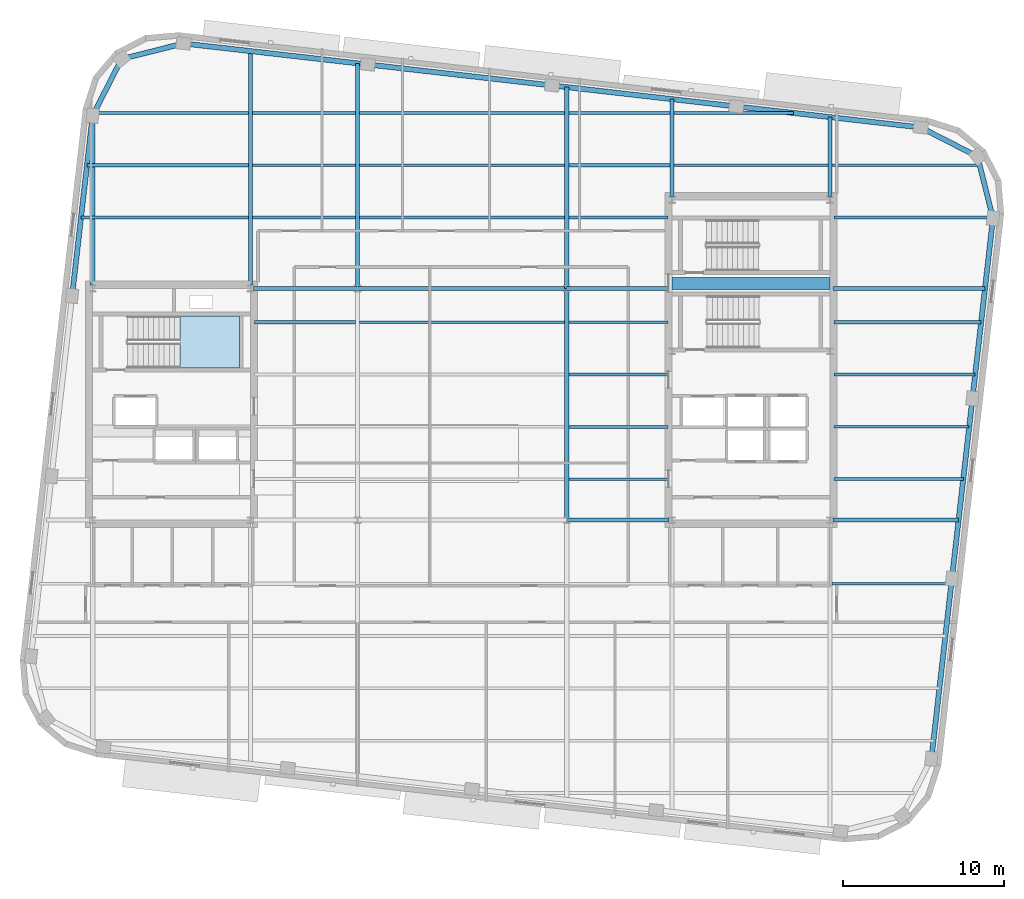
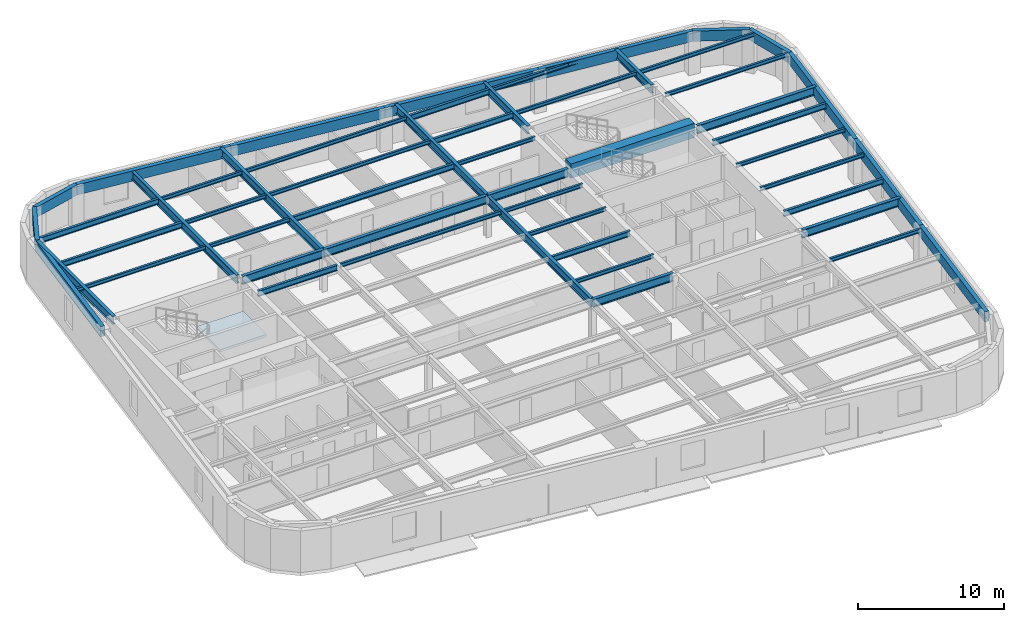
# One storey, part 4 of 13: 53 beams, 1 slab, 1 element without a shape of its own.
"""IFC4 building model written with IfcOpenShell, lengths in metres."""

from ifc_helpers import new_model, si_unit, direction, frame, origin, origin_2d, place, context, subcontext, project, spatial, polyline, rectangle, hollow_rectangle, i_section, outline, extrude, material, layer, layer_set, material_profile, profile_set, type_object, element, aggregate, save


model = new_model("IFC4")

# Units and contexts
model_context = context("Model", 3, precision=1e-05, world=origin(), true_north=direction((0.0, 1.0)))
body_context = subcontext(model_context, "Body", "Model", "MODEL_VIEW")
ifc_project = project(units=[si_unit("LENGTHUNIT", "METRE"), si_unit("AREAUNIT", "SQUARE_METRE"), si_unit("VOLUMEUNIT", "CUBIC_METRE"), si_unit("PLANEANGLEUNIT", "RADIAN"), si_unit("MASSUNIT", "GRAM", prefix="KILO")], contexts=[model_context])

# Site, building, storey
site_placement = place(None, origin())
site = spatial("IfcSite", under=ifc_project, at=site_placement, CompositionType="ELEMENT")
building_placement = place(site_placement, origin())
building = spatial("IfcBuilding", under=site, at=building_placement, Name="Kolvaren Arena Tower", CompositionType="ELEMENT")
storey_placement = place(building_placement, frame((0.0, 0.0, 250.949951171875)))
storey = spatial("IfcBuildingStorey", under=building, at=storey_placement, Name="L61", CompositionType="ELEMENT", Elevation=250.949951171875)

# Beams
ifc_material_1 = material(Name="Steel CSA G40.21 350W", Category="steel")
ifc_material_profile_1 = material_profile(ifc_material_1, i_section(OverallWidth=0.193115234375, OverallDepth=0.462890625, WebThickness=0.0107421875, FlangeThickness=0.0205078125, FilletRadius=0.012939453125, at=origin_2d()), Name="W460x113")
ifc_profile_set_1 = profile_set([ifc_material_profile_1], Name="Steel CSA G40.21 350W")
beam_type_1 = type_object("IfcBeamType", Name="BEAM-F2", PredefinedType="BEAM", material=ifc_profile_set_1)
beam_1_placement = place(storey_placement, frame((60.594970703125, 22.0, 3.24853515625), z_axis=(1.0, 0.0, 0.0), x_axis=(0.0, 1.0, 0.0)))
element("IfcBeam", 1, at=beam_1_placement, inside=storey, type_object=beam_type_1, Name="Composite Floor Beam (L61)", PredefinedType="BEAM", context=body_context, shape_type="SweptSolid", body=[
    extrude(i_section(OverallWidth=0.193115234375, OverallDepth=0.462890625, WebThickness=0.0107421875, FlangeThickness=0.0205078125, FilletRadius=0.012939453125, at=origin_2d()), origin(), (0.0, 0.0, 1.0), 8.041015625),
])
beam_2_placement = place(storey_placement, frame((44.12744140625, 25.25, 3.24853515625), z_axis=(1.0, 0.0, 0.0), x_axis=(0.0, 1.0, 0.0)))
element("IfcBeam", 2, at=beam_2_placement, inside=storey, type_object=beam_type_1, Name="Composite Floor Beam (L61)", PredefinedType="BEAM", context=body_context, shape_type="SweptSolid", body=[
    extrude(i_section(OverallWidth=0.193115234375, OverallDepth=0.462890625, WebThickness=0.0107421875, FlangeThickness=0.0205078125, FilletRadius=0.012939453125, at=origin_2d()), origin(), (0.0, 0.0, 1.0), 6.177490234375),
])
beam_3_placement = place(storey_placement, frame((24.594970703125, 31.75, 3.24853515625), z_axis=(1.0, 0.0, 0.0), x_axis=(0.0, 1.0, 0.0)))
element("IfcBeam", 3, at=beam_3_placement, inside=storey, type_object=beam_type_1, Name="Composite Floor Beam (L61)", PredefinedType="BEAM", context=body_context, shape_type="SweptSolid", body=[
    extrude(i_section(OverallWidth=0.193115234375, OverallDepth=0.462890625, WebThickness=0.0107421875, FlangeThickness=0.0205078125, FilletRadius=0.012939453125, at=origin_2d()), origin(), (0.0, 0.0, 1.0), 6.277587890625),
])
beam_4_placement = place(storey_placement, frame((60.594970703125, 31.75, 3.24853515625), z_axis=(1.0, 0.0, 0.0), x_axis=(0.0, 1.0, 0.0)))
element("IfcBeam", 4, at=beam_4_placement, inside=storey, type_object=beam_type_1, Name="Composite Floor Beam (L61)", PredefinedType="BEAM", context=body_context, shape_type="SweptSolid", body=[
    extrude(i_section(OverallWidth=0.193115234375, OverallDepth=0.462890625, WebThickness=0.0107421875, FlangeThickness=0.0205078125, FilletRadius=0.012939453125, at=origin_2d()), origin(), (0.0, 0.0, 1.0), 9.15185546875),
])
beam_5_placement = place(storey_placement, frame((31.12744140625, 38.25, 3.24853515625), z_axis=(1.0, 0.0, 0.0), x_axis=(0.0, 1.0, 0.0)))
element("IfcBeam", 5, at=beam_5_placement, inside=storey, type_object=beam_type_1, Name="Composite Floor Beam (L61)", PredefinedType="BEAM", context=body_context, shape_type="SweptSolid", body=[
    extrude(i_section(OverallWidth=0.193115234375, OverallDepth=0.462890625, WebThickness=0.0107421875, FlangeThickness=0.0205078125, FilletRadius=0.012939453125, at=origin_2d()), origin(), (0.0, 0.0, 1.0), 12.7451171875),
])
beam_6_placement = place(storey_placement, frame((14.193359375, 41.5, 3.24853515625), z_axis=(1.0, 0.0, 0.0), x_axis=(0.0, 1.0, 0.0)))
element("IfcBeam", 6, at=beam_6_placement, inside=storey, type_object=beam_type_1, Name="Composite Floor Beam (L61)", PredefinedType="BEAM", context=body_context, shape_type="SweptSolid", body=[
    extrude(i_section(OverallWidth=0.193115234375, OverallDepth=0.462890625, WebThickness=0.0107421875, FlangeThickness=0.0205078125, FilletRadius=0.012939453125, at=origin_2d()), origin(), (0.0, 0.0, 1.0), 10.029052734375),
])
beam_7_placement = place(storey_placement, frame((44.12744140625, 41.5, 3.24853515625), z_axis=(1.0, 0.0, 0.0), x_axis=(0.0, 1.0, 0.0)))
element("IfcBeam", 7, at=beam_7_placement, inside=storey, type_object=beam_type_1, Name="Composite Floor Beam (L61)", PredefinedType="BEAM", context=body_context, shape_type="SweptSolid", body=[
    extrude(i_section(OverallWidth=0.193115234375, OverallDepth=0.462890625, WebThickness=0.0107421875, FlangeThickness=0.0205078125, FilletRadius=0.012939453125, at=origin_2d()), origin(), (0.0, 0.0, 1.0), 6.295166015625),
])
beam_8_placement = place(storey_placement, frame((14.632080078125, 44.75, 3.24853515625), z_axis=(1.0, 0.0, 0.0), x_axis=(0.0, 1.0, 0.0)))
element("IfcBeam", 8, at=beam_8_placement, inside=storey, type_object=beam_type_1, Name="Composite Floor Beam (L61)", PredefinedType="BEAM", context=body_context, shape_type="SweptSolid", body=[
    extrude(i_section(OverallWidth=0.193115234375, OverallDepth=0.462890625, WebThickness=0.0107421875, FlangeThickness=0.0205078125, FilletRadius=0.012939453125, at=origin_2d()), origin(), (0.0, 0.0, 1.0), 9.59033203125),
])
beam_9_placement = place(storey_placement, frame((44.12744140625, 44.75, 3.24853515625), z_axis=(1.0, 0.0, 0.0), x_axis=(0.0, 1.0, 0.0)))
element("IfcBeam", 9, at=beam_9_placement, inside=storey, type_object=beam_type_1, Name="Composite Floor Beam (L61)", PredefinedType="BEAM", context=body_context, shape_type="SweptSolid", body=[
    extrude(i_section(OverallWidth=0.193115234375, OverallDepth=0.462890625, WebThickness=0.0107421875, FlangeThickness=0.0205078125, FilletRadius=0.012939453125, at=origin_2d()), origin(), (0.0, 0.0, 1.0), 6.295166015625),
])
ifc_material_2 = material(Name="Concrete 60 MPa", Category="concrete")
ifc_material_profile_2 = material_profile(ifc_material_2, rectangle(XDim=0.75, YDim=1.199951171875, at=origin_2d()), Name="RC-750x1200")
ifc_profile_set_2 = profile_set([ifc_material_profile_2], Name="Concrete 60 MPa")
beam_type_2 = type_object("IfcBeamType", Name="CB-CORE-2", PredefinedType="BEAM", material=ifc_profile_set_2)
beam_10_placement = place(storey_placement, frame((50.550048828125, 34.14990234375, 3.150146484375), z_axis=(1.0, 0.0, 0.0), x_axis=(0.0, 1.0, 0.0)))
element("IfcBeam", 10, at=beam_10_placement, inside=storey, type_object=beam_type_2, Name="East Core Coupling Beam (L61)", PredefinedType="BEAM", context=body_context, shape_type="SweptSolid", body=[
    extrude(rectangle(XDim=0.75, YDim=1.199951171875, at=origin_2d()), origin(), (0.0, 0.0, 1.0), 9.800048828125),
])
ifc_material_profile_3 = material_profile(ifc_material_1, i_section(OverallWidth=0.2548828125, OverallDepth=0.695068359375, WebThickness=0.01708984375, FlangeThickness=0.02978515625, FilletRadius=0.01611328125, at=origin_2d()), Name="W690x217")
ifc_profile_set_3 = profile_set([ifc_material_profile_3], Name="Steel CSA G40.21 350W")
beam_type_3 = type_object("IfcBeamType", Name="GIRD-T2", PredefinedType="BEAM", material=ifc_profile_set_3)
beam_11_placement = place(storey_placement, frame((44.0, 19.449951171875, 3.132568359375), z_axis=(1.0, 0.0, 0.0), x_axis=(0.0, 1.0, 0.0)))
element("IfcBeam", 11, at=beam_11_placement, inside=storey, type_object=beam_type_3, Name="Primary Floor Girder (L61)", PredefinedType="BEAM", context=body_context, shape_type="SweptSolid", body=[
    extrude(i_section(OverallWidth=0.2548828125, OverallDepth=0.695068359375, WebThickness=0.01708984375, FlangeThickness=0.02978515625, FilletRadius=0.01611328125, at=origin_2d()), origin(), (0.0, 0.0, 1.0), 6.344970703125),
])
beam_12_placement = place(storey_placement, frame((60.554931640625, 19.449951171875, 3.132568359375), z_axis=(1.0, 0.0, 0.0), x_axis=(0.0, 1.0, 0.0)))
element("IfcBeam", 12, at=beam_12_placement, inside=storey, type_object=beam_type_3, Name="Primary Floor Girder (L61)", PredefinedType="BEAM", context=body_context, shape_type="SweptSolid", body=[
    extrude(i_section(OverallWidth=0.2548828125, OverallDepth=0.695068359375, WebThickness=0.01708984375, FlangeThickness=0.02978515625, FilletRadius=0.01611328125, at=origin_2d()), origin(), (0.0, 0.0, 1.0), 7.790283203125),
])
beam_13_placement = place(storey_placement, frame((24.554931640625, 33.85009765625, 3.132568359375), z_axis=(1.0, 0.0, 0.0), x_axis=(0.0, 1.0, 0.0)))
element("IfcBeam", 13, at=beam_13_placement, inside=storey, type_object=beam_type_3, Name="Primary Floor Girder (L61)", PredefinedType="BEAM", context=body_context, shape_type="SweptSolid", body=[
    extrude(i_section(OverallWidth=0.2548828125, OverallDepth=0.695068359375, WebThickness=0.01708984375, FlangeThickness=0.02978515625, FilletRadius=0.01611328125, at=origin_2d()), origin(), (0.0, 0.0, 1.0), 6.445068359375),
])
beam_14_placement = place(storey_placement, frame((31.0, 33.85009765625, 3.132568359375), z_axis=(1.0, 0.0, 0.0), x_axis=(0.0, 1.0, 0.0)))
element("IfcBeam", 14, at=beam_14_placement, inside=storey, type_object=beam_type_3, Name="Primary Floor Girder (L61)", PredefinedType="BEAM", context=body_context, shape_type="SweptSolid", body=[
    extrude(i_section(OverallWidth=0.2548828125, OverallDepth=0.695068359375, WebThickness=0.01708984375, FlangeThickness=0.02978515625, FilletRadius=0.01611328125, at=origin_2d()), origin(), (0.0, 0.0, 1.0), 13.0),
])
beam_15_placement = place(storey_placement, frame((44.0, 33.85009765625, 3.132568359375), z_axis=(1.0, 0.0, 0.0), x_axis=(0.0, 1.0, 0.0)))
element("IfcBeam", 15, at=beam_15_placement, inside=storey, type_object=beam_type_3, Name="Primary Floor Girder (L61)", PredefinedType="BEAM", context=body_context, shape_type="SweptSolid", body=[
    extrude(i_section(OverallWidth=0.2548828125, OverallDepth=0.695068359375, WebThickness=0.01708984375, FlangeThickness=0.02978515625, FilletRadius=0.01611328125, at=origin_2d()), origin(), (0.0, 0.0, 1.0), 6.344970703125),
])
beam_16_placement = place(storey_placement, frame((60.554931640625, 33.85009765625, 3.132568359375), z_axis=(1.0, 0.0, 0.0), x_axis=(0.0, 1.0, 0.0)))
element("IfcBeam", 16, at=beam_16_placement, inside=storey, type_object=beam_type_3, Name="Primary Floor Girder (L61)", PredefinedType="BEAM", context=body_context, shape_type="SweptSolid", body=[
    extrude(i_section(OverallWidth=0.2548828125, OverallDepth=0.695068359375, WebThickness=0.01708984375, FlangeThickness=0.02978515625, FilletRadius=0.01611328125, at=origin_2d()), origin(), (0.0, 0.0, 1.0), 9.43115234375),
])
beam_17_placement = place(storey_placement, frame((14.550048828125, 34.054931640625, 3.132568359375), z_axis=(0.0, 1.0, 0.0), x_axis=(-1.0, 0.0, 0.0)))
element("IfcBeam", 17, at=beam_17_placement, inside=storey, type_object=beam_type_3, Name="Primary Floor Girder (L61)", PredefinedType="BEAM", context=body_context, shape_type="SweptSolid", body=[
    extrude(i_section(OverallWidth=0.2548828125, OverallDepth=0.695068359375, WebThickness=0.01708984375, FlangeThickness=0.02978515625, FilletRadius=0.01611328125, at=origin_2d()), origin(), (0.0, 0.0, 1.0), 10.53466796875),
])
beam_18_placement = place(storey_placement, frame((24.35009765625, 34.054931640625, 3.132568359375), z_axis=(0.0, 1.0, 0.0), x_axis=(-1.0, 0.0, 0.0)))
element("IfcBeam", 18, at=beam_18_placement, inside=storey, type_object=beam_type_3, Name="Primary Floor Girder (L61)", PredefinedType="BEAM", context=body_context, shape_type="SweptSolid", body=[
    extrude(i_section(OverallWidth=0.2548828125, OverallDepth=0.695068359375, WebThickness=0.01708984375, FlangeThickness=0.02978515625, FilletRadius=0.01611328125, at=origin_2d()), origin(), (0.0, 0.0, 1.0), 14.538818359375),
])
beam_19_placement = place(storey_placement, frame((31.0, 33.85009765625, 3.132568359375), z_axis=(0.0, 1.0, 0.0), x_axis=(-1.0, 0.0, 0.0)))
element("IfcBeam", 19, at=beam_19_placement, inside=storey, type_object=beam_type_3, Name="Primary Floor Girder (L61)", PredefinedType="BEAM", context=body_context, shape_type="SweptSolid", body=[
    extrude(i_section(OverallWidth=0.2548828125, OverallDepth=0.695068359375, WebThickness=0.01708984375, FlangeThickness=0.02978515625, FilletRadius=0.01611328125, at=origin_2d()), origin(), (0.0, 0.0, 1.0), 13.986083984375),
])
beam_20_placement = place(storey_placement, frame((44.0, 19.449951171875, 3.132568359375), z_axis=(0.0, 1.0, 0.0), x_axis=(-1.0, 0.0, 0.0)))
element("IfcBeam", 20, at=beam_20_placement, inside=storey, type_object=beam_type_3, Name="Primary Floor Girder (L61)", PredefinedType="BEAM", context=body_context, shape_type="SweptSolid", body=[
    extrude(i_section(OverallWidth=0.2548828125, OverallDepth=0.695068359375, WebThickness=0.01708984375, FlangeThickness=0.02978515625, FilletRadius=0.01611328125, at=origin_2d()), origin(), (0.0, 0.0, 1.0), 14.400146484375),
])
beam_21_placement = place(storey_placement, frame((44.0, 33.85009765625, 3.132568359375), z_axis=(0.0, 1.0, 0.0), x_axis=(-1.0, 0.0, 0.0)))
element("IfcBeam", 21, at=beam_21_placement, inside=storey, type_object=beam_type_3, Name="Primary Floor Girder (L61)", PredefinedType="BEAM", context=body_context, shape_type="SweptSolid", body=[
    extrude(i_section(OverallWidth=0.2548828125, OverallDepth=0.695068359375, WebThickness=0.01708984375, FlangeThickness=0.02978515625, FilletRadius=0.01611328125, at=origin_2d()), origin(), (0.0, 0.0, 1.0), 12.5048828125),
])
beam_22_placement = place(storey_placement, frame((50.550048828125, 39.554931640625, 3.132568359375), z_axis=(0.0, 1.0, 0.0), x_axis=(-1.0, 0.0, 0.0)))
element("IfcBeam", 22, at=beam_22_placement, inside=storey, type_object=beam_type_3, Name="Primary Floor Girder (L61)", PredefinedType="BEAM", context=body_context, shape_type="SweptSolid", body=[
    extrude(i_section(OverallWidth=0.2548828125, OverallDepth=0.695068359375, WebThickness=0.01708984375, FlangeThickness=0.02978515625, FilletRadius=0.01611328125, at=origin_2d()), origin(), (0.0, 0.0, 1.0), 6.0537109375),
])
beam_23_placement = place(storey_placement, frame((60.35009765625, 39.554931640625, 3.132568359375), z_axis=(0.0, 1.0, 0.0), x_axis=(-1.0, 0.0, 0.0)))
element("IfcBeam", 23, at=beam_23_placement, inside=storey, type_object=beam_type_3, Name="Primary Floor Girder (L61)", PredefinedType="BEAM", context=body_context, shape_type="SweptSolid", body=[
    extrude(i_section(OverallWidth=0.2548828125, OverallDepth=0.695068359375, WebThickness=0.01708984375, FlangeThickness=0.02978515625, FilletRadius=0.01611328125, at=origin_2d()), origin(), (0.0, 0.0, 1.0), 4.937255859375),
])
ifc_material_profile_4 = material_profile(ifc_material_1, i_section(OverallWidth=0.1669921875, OverallDepth=0.31689453125, WebThickness=0.007568359375, FlangeThickness=0.01318359375, FilletRadius=0.010009765625, at=origin_2d()), Name="W310x52")
ifc_profile_set_4 = profile_set([ifc_material_profile_4], Name="Steel CSA G40.21 350W")
beam_type_4 = type_object("IfcBeamType", Name="JOIST-02", PredefinedType="JOIST", material=ifc_profile_set_4)
beam_24_placement = place(storey_placement, frame((60.4775390625, 15.5, 3.321533203125), z_axis=(1.0, 0.0, 0.0), x_axis=(0.0, 1.0, 0.0)))
element("IfcBeam", 24, at=beam_24_placement, inside=storey, type_object=beam_type_4, Name="Composite Floor Joist (L61)", PredefinedType="JOIST", context=body_context, shape_type="SweptSolid", body=[
    extrude(i_section(OverallWidth=0.1669921875, OverallDepth=0.31689453125, WebThickness=0.007568359375, FlangeThickness=0.01318359375, FilletRadius=0.010009765625, at=origin_2d()), origin(), (0.0, 0.0, 1.0), 7.417724609375),
])
beam_25_placement = place(storey_placement, frame((44.12744140625, 22.0, 3.321533203125), z_axis=(1.0, 0.0, 0.0), x_axis=(0.0, 1.0, 0.0)))
element("IfcBeam", 25, at=beam_25_placement, inside=storey, type_object=beam_type_4, Name="Composite Floor Joist (L61)", PredefinedType="JOIST", context=body_context, shape_type="SweptSolid", body=[
    extrude(i_section(OverallWidth=0.1669921875, OverallDepth=0.31689453125, WebThickness=0.007568359375, FlangeThickness=0.01318359375, FilletRadius=0.010009765625, at=origin_2d()), origin(), (0.0, 0.0, 1.0), 6.177490234375),
])
beam_26_placement = place(storey_placement, frame((60.594970703125, 25.25, 3.321533203125), z_axis=(1.0, 0.0, 0.0), x_axis=(0.0, 1.0, 0.0)))
element("IfcBeam", 26, at=beam_26_placement, inside=storey, type_object=beam_type_4, Name="Composite Floor Joist (L61)", PredefinedType="JOIST", context=body_context, shape_type="SweptSolid", body=[
    extrude(i_section(OverallWidth=0.1669921875, OverallDepth=0.31689453125, WebThickness=0.007568359375, FlangeThickness=0.01318359375, FilletRadius=0.010009765625, at=origin_2d()), origin(), (0.0, 0.0, 1.0), 8.4111328125),
])
beam_27_placement = place(storey_placement, frame((44.12744140625, 28.5, 3.321533203125), z_axis=(1.0, 0.0, 0.0), x_axis=(0.0, 1.0, 0.0)))
element("IfcBeam", 27, at=beam_27_placement, inside=storey, type_object=beam_type_4, Name="Composite Floor Joist (L61)", PredefinedType="JOIST", context=body_context, shape_type="SweptSolid", body=[
    extrude(i_section(OverallWidth=0.1669921875, OverallDepth=0.31689453125, WebThickness=0.007568359375, FlangeThickness=0.01318359375, FilletRadius=0.010009765625, at=origin_2d()), origin(), (0.0, 0.0, 1.0), 6.177490234375),
])
beam_28_placement = place(storey_placement, frame((60.594970703125, 28.5, 3.321533203125), z_axis=(1.0, 0.0, 0.0), x_axis=(0.0, 1.0, 0.0)))
element("IfcBeam", 28, at=beam_28_placement, inside=storey, type_object=beam_type_4, Name="Composite Floor Joist (L61)", PredefinedType="JOIST", context=body_context, shape_type="SweptSolid", body=[
    extrude(i_section(OverallWidth=0.1669921875, OverallDepth=0.31689453125, WebThickness=0.007568359375, FlangeThickness=0.01318359375, FilletRadius=0.010009765625, at=origin_2d()), origin(), (0.0, 0.0, 1.0), 8.781494140625),
])
beam_29_placement = place(storey_placement, frame((31.12744140625, 31.75, 3.321533203125), z_axis=(1.0, 0.0, 0.0), x_axis=(0.0, 1.0, 0.0)))
element("IfcBeam", 29, at=beam_29_placement, inside=storey, type_object=beam_type_4, Name="Composite Floor Joist (L61)", PredefinedType="JOIST", context=body_context, shape_type="SweptSolid", body=[
    extrude(i_section(OverallWidth=0.1669921875, OverallDepth=0.31689453125, WebThickness=0.007568359375, FlangeThickness=0.01318359375, FilletRadius=0.010009765625, at=origin_2d()), origin(), (0.0, 0.0, 1.0), 12.7451171875),
])
beam_30_placement = place(storey_placement, frame((44.12744140625, 31.75, 3.321533203125), z_axis=(1.0, 0.0, 0.0), x_axis=(0.0, 1.0, 0.0)))
element("IfcBeam", 30, at=beam_30_placement, inside=storey, type_object=beam_type_4, Name="Composite Floor Joist (L61)", PredefinedType="JOIST", context=body_context, shape_type="SweptSolid", body=[
    extrude(i_section(OverallWidth=0.1669921875, OverallDepth=0.31689453125, WebThickness=0.007568359375, FlangeThickness=0.01318359375, FilletRadius=0.010009765625, at=origin_2d()), origin(), (0.0, 0.0, 1.0), 6.177490234375),
])
beam_31_placement = place(storey_placement, frame((13.822998046875, 38.25, 3.321533203125), z_axis=(1.0, 0.0, 0.0), x_axis=(0.0, 1.0, 0.0)))
element("IfcBeam", 31, at=beam_31_placement, inside=storey, type_object=beam_type_4, Name="Composite Floor Joist (L61)", PredefinedType="JOIST", context=body_context, shape_type="SweptSolid", body=[
    extrude(i_section(OverallWidth=0.1669921875, OverallDepth=0.31689453125, WebThickness=0.007568359375, FlangeThickness=0.01318359375, FilletRadius=0.010009765625, at=origin_2d()), origin(), (0.0, 0.0, 1.0), 10.3994140625),
])
beam_32_placement = place(storey_placement, frame((24.4775390625, 38.25, 3.321533203125), z_axis=(1.0, 0.0, 0.0), x_axis=(0.0, 1.0, 0.0)))
element("IfcBeam", 32, at=beam_32_placement, inside=storey, type_object=beam_type_4, Name="Composite Floor Joist (L61)", PredefinedType="JOIST", context=body_context, shape_type="SweptSolid", body=[
    extrude(i_section(OverallWidth=0.1669921875, OverallDepth=0.31689453125, WebThickness=0.007568359375, FlangeThickness=0.01318359375, FilletRadius=0.010009765625, at=origin_2d()), origin(), (0.0, 0.0, 1.0), 6.39501953125),
])
beam_33_placement = place(storey_placement, frame((44.12744140625, 38.25, 3.321533203125), z_axis=(1.0, 0.0, 0.0), x_axis=(0.0, 1.0, 0.0)))
element("IfcBeam", 33, at=beam_33_placement, inside=storey, type_object=beam_type_4, Name="Composite Floor Joist (L61)", PredefinedType="JOIST", context=body_context, shape_type="SweptSolid", body=[
    extrude(i_section(OverallWidth=0.1669921875, OverallDepth=0.31689453125, WebThickness=0.007568359375, FlangeThickness=0.01318359375, FilletRadius=0.010009765625, at=origin_2d()), origin(), (0.0, 0.0, 1.0), 6.177490234375),
])
beam_34_placement = place(storey_placement, frame((60.594970703125, 38.25, 3.321533203125), z_axis=(1.0, 0.0, 0.0), x_axis=(0.0, 1.0, 0.0)))
element("IfcBeam", 34, at=beam_34_placement, inside=storey, type_object=beam_type_4, Name="Composite Floor Joist (L61)", PredefinedType="JOIST", context=body_context, shape_type="SweptSolid", body=[
    extrude(i_section(OverallWidth=0.1669921875, OverallDepth=0.31689453125, WebThickness=0.007568359375, FlangeThickness=0.01318359375, FilletRadius=0.010009765625, at=origin_2d()), origin(), (0.0, 0.0, 1.0), 9.8759765625),
])
beam_35_placement = place(storey_placement, frame((24.4775390625, 41.5, 3.321533203125), z_axis=(1.0, 0.0, 0.0), x_axis=(0.0, 1.0, 0.0)))
element("IfcBeam", 35, at=beam_35_placement, inside=storey, type_object=beam_type_4, Name="Composite Floor Joist (L61)", PredefinedType="JOIST", context=body_context, shape_type="SweptSolid", body=[
    extrude(i_section(OverallWidth=0.1669921875, OverallDepth=0.31689453125, WebThickness=0.007568359375, FlangeThickness=0.01318359375, FilletRadius=0.010009765625, at=origin_2d()), origin(), (0.0, 0.0, 1.0), 6.39501953125),
])
beam_36_placement = place(storey_placement, frame((31.12744140625, 41.5, 3.321533203125), z_axis=(1.0, 0.0, 0.0), x_axis=(0.0, 1.0, 0.0)))
element("IfcBeam", 36, at=beam_36_placement, inside=storey, type_object=beam_type_4, Name="Composite Floor Joist (L61)", PredefinedType="JOIST", context=body_context, shape_type="SweptSolid", body=[
    extrude(i_section(OverallWidth=0.1669921875, OverallDepth=0.31689453125, WebThickness=0.007568359375, FlangeThickness=0.01318359375, FilletRadius=0.010009765625, at=origin_2d()), origin(), (0.0, 0.0, 1.0), 12.7451171875),
])
beam_37_placement = place(storey_placement, frame((50.677490234375, 41.5, 3.321533203125), z_axis=(1.0, 0.0, 0.0), x_axis=(0.0, 1.0, 0.0)))
element("IfcBeam", 37, at=beam_37_placement, inside=storey, type_object=beam_type_4, Name="Composite Floor Joist (L61)", PredefinedType="JOIST", context=body_context, shape_type="SweptSolid", body=[
    extrude(i_section(OverallWidth=0.1669921875, OverallDepth=0.31689453125, WebThickness=0.007568359375, FlangeThickness=0.01318359375, FilletRadius=0.010009765625, at=origin_2d()), origin(), (0.0, 0.0, 1.0), 9.544921875),
])
beam_38_placement = place(storey_placement, frame((60.4775390625, 41.5, 3.321533203125), z_axis=(1.0, 0.0, 0.0), x_axis=(0.0, 1.0, 0.0)))
element("IfcBeam", 38, at=beam_38_placement, inside=storey, type_object=beam_type_4, Name="Composite Floor Joist (L61)", PredefinedType="JOIST", context=body_context, shape_type="SweptSolid", body=[
    extrude(i_section(OverallWidth=0.1669921875, OverallDepth=0.31689453125, WebThickness=0.007568359375, FlangeThickness=0.01318359375, FilletRadius=0.010009765625, at=origin_2d()), origin(), (0.0, 0.0, 1.0), 9.17919921875),
])
beam_39_placement = place(storey_placement, frame((24.4775390625, 44.75, 3.321533203125), z_axis=(1.0, 0.0, 0.0), x_axis=(0.0, 1.0, 0.0)))
element("IfcBeam", 39, at=beam_39_placement, inside=storey, type_object=beam_type_4, Name="Composite Floor Joist (L61)", PredefinedType="JOIST", context=body_context, shape_type="SweptSolid", body=[
    extrude(i_section(OverallWidth=0.1669921875, OverallDepth=0.31689453125, WebThickness=0.007568359375, FlangeThickness=0.01318359375, FilletRadius=0.010009765625, at=origin_2d()), origin(), (0.0, 0.0, 1.0), 6.39501953125),
])
beam_40_placement = place(storey_placement, frame((31.12744140625, 44.75, 3.321533203125), z_axis=(1.0, 0.0, 0.0), x_axis=(0.0, 1.0, 0.0)))
element("IfcBeam", 40, at=beam_40_placement, inside=storey, type_object=beam_type_4, Name="Composite Floor Joist (L61)", PredefinedType="JOIST", context=body_context, shape_type="SweptSolid", body=[
    extrude(i_section(OverallWidth=0.1669921875, OverallDepth=0.31689453125, WebThickness=0.007568359375, FlangeThickness=0.01318359375, FilletRadius=0.010009765625, at=origin_2d()), origin(), (0.0, 0.0, 1.0), 12.7451171875),
])
beam_41_placement = place(storey_placement, frame((50.677490234375, 44.75, 3.321533203125), z_axis=(1.0, 0.0, 0.0), x_axis=(0.0, 1.0, 0.0)))
element("IfcBeam", 41, at=beam_41_placement, inside=storey, type_object=beam_type_4, Name="Composite Floor Joist (L61)", PredefinedType="JOIST", context=body_context, shape_type="SweptSolid", body=[
    extrude(i_section(OverallWidth=0.1669921875, OverallDepth=0.31689453125, WebThickness=0.007568359375, FlangeThickness=0.01318359375, FilletRadius=0.010009765625, at=origin_2d()), origin(), (0.0, 0.0, 1.0), 7.40869140625),
])
ifc_material_3 = material(Name="Steel CSA G40.21 350WT", Category="steel")
ifc_material_profile_5 = material_profile(ifc_material_3, hollow_rectangle(XDim=0.320068359375, YDim=0.860107421875, WallThickness=0.01806640625, at=origin_2d()), Name="HSS 860x320x18")
ifc_profile_set_5 = profile_set([ifc_material_profile_5], Name="Steel CSA G40.21 350WT")
beam_type_5 = type_object("IfcBeamType", Name="SPAND-02", PredefinedType="SPANDREL", material=ifc_profile_set_5)
beam_42_placement = place(storey_placement, frame((66.656005859375, 4.6220703125, 3.050048828125), z_axis=(0.113201896536, 0.993572005755, 0.0), x_axis=(-0.993572005755, 0.113201896536, 0.0)))
element("IfcBeam", 42, at=beam_42_placement, inside=storey, type_object=beam_type_5, Name="Perimeter Spandrel Beam (L61)", PredefinedType="SPANDREL", context=body_context, shape_type="SweptSolid", body=[
    extrude(hollow_rectangle(XDim=0.320068359375, YDim=0.860107421875, WallThickness=0.01806640625, at=origin_2d()), origin(), (0.0, 0.0, 1.0), 11.2666015625),
])
beam_43_placement = place(storey_placement, frame((67.931396484375, 15.816162109375, 3.050048828125), z_axis=(0.113199459318, 0.993572283435, 0.0), x_axis=(-0.993572283435, 0.113199459318, 0.0)))
element("IfcBeam", 43, at=beam_43_placement, inside=storey, type_object=beam_type_5, Name="Perimeter Spandrel Beam (L61)", PredefinedType="SPANDREL", context=body_context, shape_type="SweptSolid", body=[
    extrude(hollow_rectangle(XDim=0.320068359375, YDim=0.860107421875, WallThickness=0.01806640625, at=origin_2d()), origin(), (0.0, 0.0, 1.0), 11.266845703125),
])
beam_44_placement = place(storey_placement, frame((69.206787109375, 27.010498046875, 3.050048828125), z_axis=(0.113201896536, 0.993572005755, 0.0), x_axis=(-0.993572005755, 0.113201896536, 0.0)))
element("IfcBeam", 44, at=beam_44_placement, inside=storey, type_object=beam_type_5, Name="Perimeter Spandrel Beam (L61)", PredefinedType="SPANDREL", context=body_context, shape_type="SweptSolid", body=[
    extrude(hollow_rectangle(XDim=0.320068359375, YDim=0.860107421875, WallThickness=0.01806640625, at=origin_2d()), origin(), (0.0, 0.0, 1.0), 11.2666015625),
])
for number, where, z_axis, x_axis, name in (
    (45, (70.482177734375, 38.20458984375, 3.050048828125), (-0.242956154878, 0.970037270834, 0.0), (-0.970037270834, -0.242956154878, 0.0), "Perimeter Spandrel Beam (L61)"),
    (46, (69.519775390625, 42.047119140625, 3.050048828125), (-0.890535676656, 0.454913407807, 0.0), (-0.454913407807, -0.890535676656, 0.0), "Perimeter Spandrel Beam (L61)"),
):
    element("IfcBeam", number, at=place(storey_placement, frame(where, z_axis=z_axis, x_axis=x_axis)), inside=storey, type_object=beam_type_5, Name=name, PredefinedType="SPANDREL", context=body_context, shape_type="SweptSolid", body=[
        extrude(hollow_rectangle(XDim=0.320068359375, YDim=0.860107421875, WallThickness=0.01806640625, at=origin_2d()), origin(), (0.0, 0.0, 1.0), 3.961181640625),
    ])
beam_45_placement = place(storey_placement, frame((65.9921875, 43.84912109375, 3.050048828125), z_axis=(-0.993571397957, 0.113207231049, 0.0), x_axis=(-0.113207231049, -0.993571397957, 0.0)))
element("IfcBeam", 47, at=beam_45_placement, inside=storey, type_object=beam_type_5, Name="Perimeter Spandrel Beam (L61)", PredefinedType="SPANDREL", context=body_context, shape_type="SweptSolid", body=[
    extrude(hollow_rectangle(XDim=0.320068359375, YDim=0.860107421875, WallThickness=0.01806640625, at=origin_2d()), origin(), (0.0, 0.0, 1.0), 11.524658203125),
])
for number, where, z_axis, x_axis, name in (
    (48, (54.54150390625, 45.15380859375, 3.050048828125), (-0.99357166944, 0.113204848336, 0.0), (-0.113204848336, -0.99357166944, 0.0), "Perimeter Spandrel Beam (L61)"),
    (49, (43.090576171875, 46.45849609375, 3.050048828125), (-0.99357166944, 0.113204848336, 0.0), (-0.113204848336, -0.99357166944, 0.0), "Perimeter Spandrel Beam (L61)"),
    (50, (31.6396484375, 47.76318359375, 3.050048828125), (-0.99357166944, 0.113204848336, 0.0), (-0.113204848336, -0.99357166944, 0.0), "Perimeter Spandrel Beam (L61)"),
):
    element("IfcBeam", number, at=place(storey_placement, frame(where, z_axis=z_axis, x_axis=x_axis)), inside=storey, type_object=beam_type_5, Name=name, PredefinedType="SPANDREL", context=body_context, shape_type="SweptSolid", body=[
        extrude(hollow_rectangle(XDim=0.320068359375, YDim=0.860107421875, WallThickness=0.01806640625, at=origin_2d()), origin(), (0.0, 0.0, 1.0), 11.52490234375),
    ])
for number, where, z_axis, x_axis, name in (
    (51, (20.188720703125, 49.06787109375, 3.050048828125), (-0.970037270834, -0.242956154878, 0.0), (0.242956154878, -0.970037270834, 0.0), "Perimeter Spandrel Beam (L61)"),
    (52, (16.34619140625, 48.10546875, 3.050048828125), (-0.454913407807, -0.890535676656, 0.0), (0.890535676656, -0.454913407807, 0.0), "Perimeter Spandrel Beam (L61)"),
):
    element("IfcBeam", number, at=place(storey_placement, frame(where, z_axis=z_axis, x_axis=x_axis)), inside=storey, type_object=beam_type_5, Name=name, PredefinedType="SPANDREL", context=body_context, shape_type="SweptSolid", body=[
        extrude(hollow_rectangle(XDim=0.320068359375, YDim=0.860107421875, WallThickness=0.01806640625, at=origin_2d()), origin(), (0.0, 0.0, 1.0), 3.961181640625),
    ])
beam_46_placement = place(storey_placement, frame((14.544189453125, 44.577880859375, 3.050048828125), z_axis=(-0.113201896536, -0.993572005755, 0.0), x_axis=(0.993572005755, -0.113201896536, 0.0)))
element("IfcBeam", 53, at=beam_46_placement, inside=storey, type_object=beam_type_5, Name="Perimeter Spandrel Beam (L61)", PredefinedType="SPANDREL", context=body_context, shape_type="SweptSolid", body=[
    extrude(hollow_rectangle(XDim=0.320068359375, YDim=0.860107421875, WallThickness=0.01806640625, at=origin_2d()), origin(), (0.0, 0.0, 1.0), 11.2666015625),
])

# Stair, slab
ifc_material_4 = material(Name="Concrete 45 MPa", Category="concrete")
stair_type = type_object("IfcStairType", Name="STAIR-CORE-165", PredefinedType="HALF_TURN_STAIR", material=ifc_material_4)
stair_placement = place(storey_placement, origin())
stair = element("IfcStair", 54, at=stair_placement, inside=storey, type_object=stair_type, Name="L61 ST-W1", PredefinedType="HALF_TURN_STAIR")
ifc_layer = layer(ifc_material_4, 0.199951171875)
ifc_layer_set = layer_set([ifc_layer], Name="Concrete 45 MPa")
slab_type = type_object("IfcSlabType", Name="SLAB-LAND", PredefinedType="LANDING", material=ifc_layer_set)
slab_placement = place(storey_placement, frame((0.0, 0.0, 1.675048828125)))
slab = element("IfcSlab", 55, at=slab_placement, type_object=slab_type, Name="ST-W1 landing 1", PredefinedType="LANDING", context=body_context, shape_type="SweptSolid", body=[
    extrude(outline(polyline([(19.9599609375, 28.89990234375), (23.659912109375, 28.89990234375), (23.659912109375, 32.1298828125), (19.9599609375, 32.1298828125), (19.9599609375, 28.89990234375)])), origin(), (0.0, 0.0, 1.0), 0.199951171875),
])
aggregate(stair, [slab])

save(model, "model.ifc")
